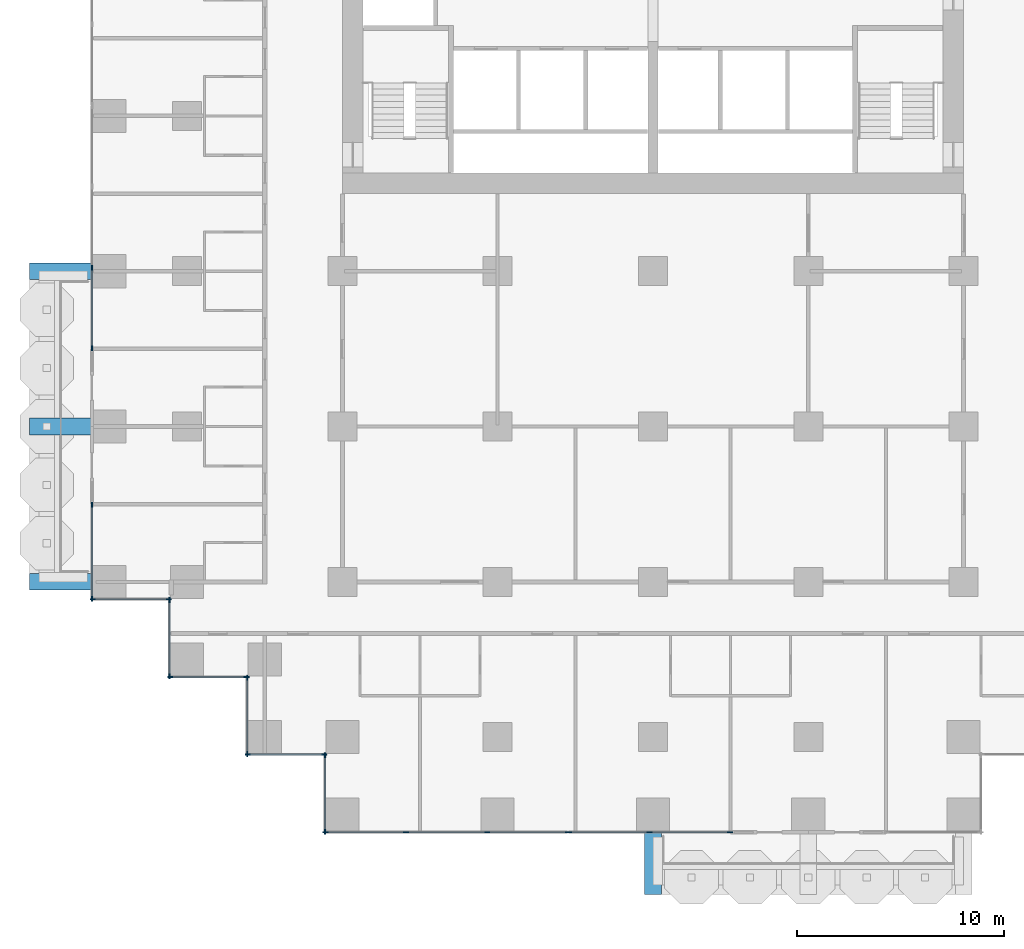
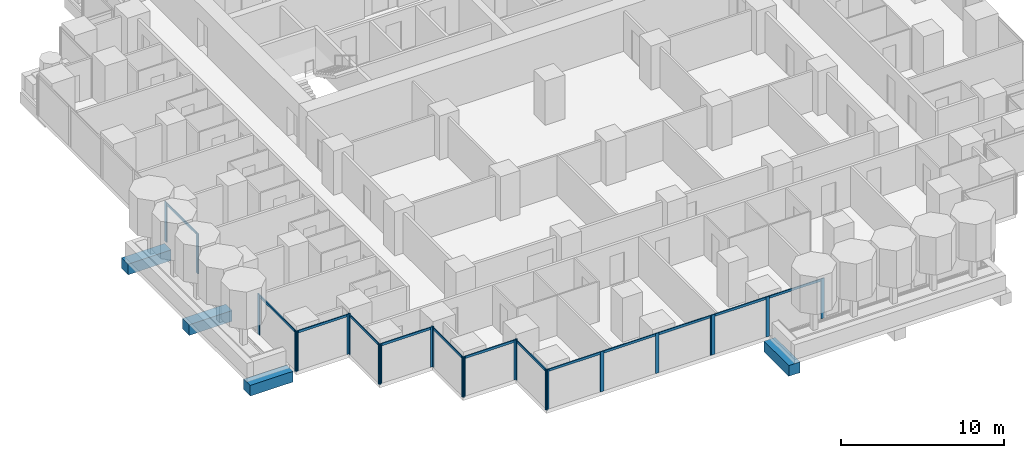
# One storey, part 2 of 18: 36 members, 4 beams, 10 elements without a shape of their own.
"""IFC4 building model written with IfcOpenShell, lengths in metres."""

import ifcopenshell
import ifcopenshell.guid

model = None  # the IFC model being written
_history = None  # IfcOwnerHistory: only IFC2X3 demands one
_inside = {}  # id of a spatial element -> (the spatial element, [elements in it])
_under = {}  # id of a project, library or spatial element -> (it, [spatial elements below it])
_declared = {}  # id of a project -> (the project, [libraries it declares])
_typed = {}  # id of a type object -> (the type object, [elements of that type])
_made_of = {}  # id of a material, layer set ... -> (it, [elements and type objects made of it])


def new_model(schema):
    """Start an empty IFC model of exactly this schema.

    Asked for "IFC4X3", IfcOpenShell would pick the latest addendum, in which some entities
    have other attributes; the version numbers below select the first issue.
    IFC2X3 requires an IfcOwnerHistory on every rooted entity: one is made here for all.
    """
    global model, _history
    if schema == "IFC4X3":
        model = ifcopenshell.file(schema_version=(4, 3, 0, 0))
    else:
        model = ifcopenshell.file(schema=schema)
    _inside.clear()
    _under.clear()
    _declared.clear()
    _typed.clear()
    _made_of.clear()
    _history = None
    if model.schema == "IFC2X3":
        org = make("IfcOrganization", Name="unknown")
        user = make(
            "IfcPersonAndOrganization",
            ThePerson=make("IfcPerson", FamilyName="unknown"),
            TheOrganization=org,
        )
        app = make(
            "IfcApplication",
            ApplicationDeveloper=org,
            Version="unknown",
            ApplicationFullName="unknown",
            ApplicationIdentifier="unknown",
        )
        _history = make(
            "IfcOwnerHistory",
            OwningUser=user,
            OwningApplication=app,
            ChangeAction="ADDED",
            CreationDate=0,
        )
    return model


def make(cls, **values):
    """One entity of the class cls with the attributes given. An attribute that is None is left unset."""
    return model.create_entity(
        cls, **{name: value for name, value in values.items() if value is not None}
    )


def rooted(cls, **values):
    """An entity with a GlobalId (a new one), such as an element, a storey or a relation."""
    return make(cls, GlobalId=ifcopenshell.guid.new(), OwnerHistory=_history, **values)


def si_unit(unit_type, name, prefix=None):
    """IfcSIUnit, for example si_unit("LENGTHUNIT", "METRE", prefix="MILLI")."""
    return make("IfcSIUnit", UnitType=unit_type, Prefix=prefix, Name=name)


def assignment(units):
    """IfcUnitAssignment: the units of a project."""
    return None if units is None else make("IfcUnitAssignment", Units=units)


def point(xyz):
    """IfcCartesianPoint."""
    return None if xyz is None else make("IfcCartesianPoint", Coordinates=xyz)


def direction(xyz):
    """IfcDirection."""
    return None if xyz is None else make("IfcDirection", DirectionRatios=xyz)


def frame(location, z_axis=None, x_axis=None):
    """IfcAxis2Placement3D, a coordinate frame: its origin and axes. An axis left out is left unset."""
    return make(
        "IfcAxis2Placement3D",
        Location=point(location),
        Axis=direction(z_axis),
        RefDirection=direction(x_axis),
    )


def frame_2d(location, x_axis=None):
    """IfcAxis2Placement2D, a coordinate frame in the plane: its origin and x axis."""
    return make(
        "IfcAxis2Placement2D", Location=point(location), RefDirection=direction(x_axis)
    )


def origin():
    """The frame at (0, 0, 0) with its axes left unset."""
    return frame((0.0, 0.0, 0.0))


def origin_2d():
    """The frame at (0, 0) in the plane with its x axis left unset."""
    return frame_2d((0.0, 0.0))


def place(relative_to, where):
    """IfcLocalPlacement: puts the frame where relative to a parent placement (None: the world)."""
    return make(
        "IfcLocalPlacement", PlacementRelTo=relative_to, RelativePlacement=where
    )


def context(
    kind, dimensions, precision=None, world=None, true_north=None, identifier=None
):
    """IfcGeometricRepresentationContext, for example the 3D "Model" context."""
    return make(
        "IfcGeometricRepresentationContext",
        ContextIdentifier=identifier,
        ContextType=kind,
        CoordinateSpaceDimension=dimensions,
        Precision=precision,
        WorldCoordinateSystem=world,
        TrueNorth=true_north,
    )


def subcontext(parent, identifier, kind, view, scale=None):
    """IfcGeometricRepresentationSubContext, for example "Body" below "Model"."""
    return make(
        "IfcGeometricRepresentationSubContext",
        ContextIdentifier=identifier,
        ContextType=kind,
        ParentContext=parent,
        TargetScale=scale,
        TargetView=view,
    )


def project(units=None, contexts=None):
    """IfcProject with its units and contexts."""
    return rooted(
        "IfcProject",
        Name="project",
        RepresentationContexts=contexts,
        UnitsInContext=assignment(units),
    )


def spatial(cls, under=None, at=None, **own):
    """A site, building, storey or space (cls), placed at a placement, below another one or the project."""
    s = rooted(cls, ObjectPlacement=at, **own)
    if under is not None:
        _under.setdefault(under.id(), (under, []))[1].append(s)
    return s


def profile(cls, at=None, kind="AREA", **sizes):
    """A parametric profile (cls). Its sizes go by their IFC names, for example OverallWidth=200.0."""
    return make(cls, ProfileType=kind, Position=at, **sizes)


def rectangle(**sizes):
    """IfcRectangleProfileDef."""
    return profile("IfcRectangleProfileDef", **sizes)


def extrude(swept, where, along, depth):
    """IfcExtrudedAreaSolid: the profile swept, set in the frame where, extruded along a direction by depth."""
    return make(
        "IfcExtrudedAreaSolid",
        SweptArea=swept,
        Position=where,
        ExtrudedDirection=direction(along),
        Depth=depth,
    )


def shape(context_of_items, identifier, shape_type, items):
    """IfcShapeRepresentation: the items that make up one representation, for example the "Body"."""
    return make(
        "IfcShapeRepresentation",
        ContextOfItems=context_of_items,
        RepresentationIdentifier=identifier,
        RepresentationType=shape_type,
        Items=items,
    )


def material(Name=None, Category=None):
    """IfcMaterial."""
    return make("IfcMaterial", Name=Name, Category=Category)


def material_profile(
    of_material, cross_section, Name=None, Category=None, Priority=None
):
    """IfcMaterialProfile: a cross section and its material."""
    return make(
        "IfcMaterialProfile",
        Name=Name,
        Material=of_material,
        Profile=cross_section,
        Priority=Priority,
        Category=Category,
    )


def profile_set(profiles, Name=None, composite=None):
    """IfcMaterialProfileSet."""
    return make(
        "IfcMaterialProfileSet",
        Name=Name,
        MaterialProfiles=profiles,
        CompositeProfile=composite,
    )


def made_of(thing, what):
    """Note that an element or type object is made of a material, layer set ...; save() writes the relation."""
    if what is not None:
        _made_of.setdefault(what.id(), (what, []))[1].append(thing)
    return thing


def type_object(cls, material=None, **own):
    """A type object (cls), such as IfcWallType, which elements share."""
    return made_of(rooted(cls, **own), material)


def element(
    cls,
    number,
    at=None,
    inside=None,
    cuts=None,
    type_object=None,
    material=None,
    context=None,
    identifier="Body",
    shape_type=None,
    held_by="IfcProductDefinitionShape",
    body=None,
    shapes=None,
    **own,
):
    """One element of the class cls, such as IfcWall. Its Tag is "e" and its number.

    at: its placement. inside: the storey or other place that contains it. cuts: it is an
    opening in that element (IfcRelVoidsElement). A single representation is given by context,
    identifier, shape_type and body (its items); several are given by shapes. held_by: the class
    of the entity that holds the representations. save() writes the other relations.
    """
    e = rooted(cls, Tag="e%d" % number, ObjectPlacement=at, **own)
    if body is not None:
        shapes = [shape(context, identifier, shape_type, body)]
    if shapes is not None:
        e.Representation = make(held_by, Representations=shapes)
    if inside is not None:
        _inside.setdefault(inside.id(), (inside, []))[1].append(e)
    if cuts is not None:
        rooted(
            "IfcRelVoidsElement", RelatingBuildingElement=cuts, RelatedOpeningElement=e
        )
    if type_object is not None:
        _typed.setdefault(type_object.id(), (type_object, []))[1].append(e)
    return made_of(e, material)


def aggregate(whole, parts):
    """IfcRelAggregates: a whole, such as a stair, and the parts it consists of."""
    return rooted("IfcRelAggregates", RelatingObject=whole, RelatedObjects=parts)


def save(model, path):
    """Write the relations noted so far, then the file.

    IfcRelAggregates (storeys below a building ...), IfcRelContainedInSpatialStructure (elements
    in a storey), IfcRelDefinesByType, IfcRelAssociatesMaterial and IfcRelDeclares: one each for
    every whole, place, type object, material and project.
    """
    for whole, parts in _under.values():
        aggregate(whole, parts)
    for where, things in _inside.values():
        rooted(
            "IfcRelContainedInSpatialStructure",
            RelatedElements=things,
            RelatingStructure=where,
        )
    for kind, things in _typed.values():
        rooted("IfcRelDefinesByType", RelatedObjects=things, RelatingType=kind)
    for what, things in _made_of.values():
        rooted("IfcRelAssociatesMaterial", RelatedObjects=things, RelatingMaterial=what)
    for by, libraries in _declared.values():
        rooted("IfcRelDeclares", RelatingContext=by, RelatedDefinitions=libraries)
    model.write(path)


model = new_model("IFC4")

# Units and contexts
model_context = context("Model", 3, precision=1e-05, world=origin(), true_north=direction((0.0, 1.0)))
body_context = subcontext(model_context, "Body", "Model", "MODEL_VIEW")
ifc_project = project(units=[si_unit("LENGTHUNIT", "METRE"), si_unit("AREAUNIT", "SQUARE_METRE"), si_unit("VOLUMEUNIT", "CUBIC_METRE"), si_unit("PLANEANGLEUNIT", "RADIAN"), si_unit("MASSUNIT", "GRAM", prefix="KILO")], contexts=[model_context])

# Site, building, storey
site_placement = place(None, origin())
site = spatial("IfcSite", under=ifc_project, at=site_placement, CompositionType="ELEMENT")
building_placement = place(site_placement, origin())
building = spatial("IfcBuilding", under=site, at=building_placement, Name="Pilkhan Gate Tower", CompositionType="ELEMENT")
storey_placement = place(building_placement, frame((0.0, 0.0, 52.699951171875)))
storey = spatial("IfcBuildingStorey", under=building, at=storey_placement, Name="L10", CompositionType="ELEMENT", Elevation=52.699951171875)

# Beams
ifc_material_1 = material(Name="Concrete C50/60", Category="concrete")
ifc_material_profile_1 = material_profile(ifc_material_1, rectangle(XDim=0.800048828125, YDim=0.800048828125, at=origin_2d()), Name="RC 800x800")
ifc_profile_set_1 = profile_set([ifc_material_profile_1], Name="Concrete C50/60")
beam_type = type_object("IfcBeamType", Name="Cantilever beam CB2 RC 800x800 C50/60", PredefinedType="BEAM", material=ifc_profile_set_1)
for number, where, z_axis, x_axis, name in (
    (1, (75.0, 40.449951171875, -0.699951171875), (0.0, -1.0, 0.0), (1.0, 0.0, 0.0), "Balcony beam S.1 L10"),
    (2, (47.949951171875, 52.5, -0.699951171875), (-1.0, 0.0, 0.0), (0.0, -1.0, 0.0), "Balcony beam W.1 L10"),
    (3, (47.949951171875, 60.0, -0.699951171875), (-1.0, 0.0, 0.0), (0.0, -1.0, 0.0), "Balcony beam W.2 L10"),
    (4, (47.949951171875, 67.5, -0.699951171875), (-1.0, 0.0, 0.0), (0.0, -1.0, 0.0), "Balcony beam W.3 L10"),
):
    element("IfcBeam", number, at=place(storey_placement, frame(where, z_axis=z_axis, x_axis=x_axis)), inside=storey, type_object=beam_type, Name=name, PredefinedType="BEAM", context=body_context, shape_type="SweptSolid", body=[
        extrude(rectangle(XDim=0.800048828125, YDim=0.800048828125, at=origin_2d()), origin(), (0.0, 0.0, 1.0), 3.050048828125),
    ])

# Curtain wall, members
ifc_material_2 = material(Name="Pale anodised aluminium, clear low-iron double glazing", Category="aluminium")
curtain_wall_type = type_object("IfcCurtainWallType", Name="Hotel unitised curtain wall CW-H", PredefinedType="USERDEFINED", material=ifc_material_2)
curtain_wall_1_placement = place(storey_placement, origin())
curtain_wall_1 = element("IfcCurtainWall", 5, at=curtain_wall_1_placement, inside=storey, type_object=curtain_wall_type, Name="Hotel unitised curtain wall CW-H L10 W", ObjectType="UNITISED CURTAIN WALL", PredefinedType="USERDEFINED")
ifc_material_3 = material(Name="Pale anodised aluminium", Category="aluminium")
ifc_material_profile_2 = material_profile(ifc_material_3, rectangle(XDim=0.06494140625, YDim=0.25, at=origin_2d()), Name="Mullion 250x65")
ifc_profile_set_2 = profile_set([ifc_material_profile_2], Name="Pale anodised aluminium")
member_type_1 = type_object("IfcMemberType", Name="Mullion CW-H 250x65", PredefinedType="MULLION", material=ifc_profile_set_2)
member_1_placement = place(storey_placement, frame((47.905029296875, 51.6875, 0.0), z_axis=(0.0, 0.0, 1.0), x_axis=(-1.0, 0.0, 0.0)))
member_1 = element("IfcMember", 6, at=member_1_placement, type_object=member_type_1, Name="CW-H mullion 1", PredefinedType="MULLION", context=body_context, shape_type="SweptSolid", body=[
    extrude(rectangle(XDim=0.06494140625, YDim=0.25, at=origin_2d()), origin(), (0.0, 0.0, 1.0), 3.0),
])
member_2_placement = place(storey_placement, frame((47.905029296875, 56.217529296875, 0.0), z_axis=(0.0, 0.0, 1.0), x_axis=(-1.0, 0.0, 0.0)))
member_2 = element("IfcMember", 7, at=member_2_placement, type_object=member_type_1, Name="CW-H mullion 2", PredefinedType="MULLION", context=body_context, shape_type="SweptSolid", body=[
    extrude(rectangle(XDim=0.06494140625, YDim=0.25, at=origin_2d()), origin(), (0.0, 0.0, 1.0), 3.0),
])

curtain_wall_2_placement = place(storey_placement, origin())
curtain_wall_2 = element("IfcCurtainWall", 8, at=curtain_wall_2_placement, inside=storey, type_object=curtain_wall_type, Name="Hotel unitised curtain wall CW-H L10 W", ObjectType="UNITISED CURTAIN WALL", PredefinedType="USERDEFINED")
member_3_placement = place(storey_placement, frame((47.905029296875, 63.782470703125, 0.0), z_axis=(0.0, 0.0, 1.0), x_axis=(-1.0, 0.0, 0.0)))
member_3 = element("IfcMember", 9, at=member_3_placement, type_object=member_type_1, Name="CW-H mullion 1", PredefinedType="MULLION", context=body_context, shape_type="SweptSolid", body=[
    extrude(rectangle(XDim=0.06494140625, YDim=0.25, at=origin_2d()), origin(), (0.0, 0.0, 1.0), 3.0),
])
member_4_placement = place(storey_placement, frame((47.905029296875, 67.6689453125, 0.0), z_axis=(0.0, 0.0, 1.0), x_axis=(-1.0, 0.0, 0.0)))
member_4 = element("IfcMember", 10, at=member_4_placement, type_object=member_type_1, Name="CW-H mullion 2", PredefinedType="MULLION", context=body_context, shape_type="SweptSolid", body=[
    extrude(rectangle(XDim=0.06494140625, YDim=0.25, at=origin_2d()), origin(), (0.0, 0.0, 1.0), 3.0),
])

curtain_wall_3_placement = place(storey_placement, origin())
curtain_wall_3 = element("IfcCurtainWall", 11, at=curtain_wall_3_placement, inside=storey, type_object=curtain_wall_type, Name="Hotel unitised curtain wall CW-H L10 S", ObjectType="UNITISED CURTAIN WALL", PredefinedType="USERDEFINED")
member_5_placement = place(storey_placement, frame((47.9375, 51.655029296875, 0.0), z_axis=(0.0, 0.0, 1.0), x_axis=(0.0, 1.0, 0.0)))
member_5 = element("IfcMember", 12, at=member_5_placement, type_object=member_type_1, Name="CW-H mullion 1", PredefinedType="MULLION", context=body_context, shape_type="SweptSolid", body=[
    extrude(rectangle(XDim=0.06494140625, YDim=0.25, at=origin_2d()), origin(), (0.0, 0.0, 1.0), 3.0),
])
member_6_placement = place(storey_placement, frame((51.62255859375, 51.655029296875, 0.0), z_axis=(0.0, 0.0, 1.0), x_axis=(0.0, 1.0, 0.0)))
member_6 = element("IfcMember", 13, at=member_6_placement, type_object=member_type_1, Name="CW-H mullion 2", PredefinedType="MULLION", context=body_context, shape_type="SweptSolid", body=[
    extrude(rectangle(XDim=0.06494140625, YDim=0.25, at=origin_2d()), origin(), (0.0, 0.0, 1.0), 3.0),
])

curtain_wall_4_placement = place(storey_placement, origin())
curtain_wall_4 = element("IfcCurtainWall", 14, at=curtain_wall_4_placement, inside=storey, type_object=curtain_wall_type, Name="Hotel unitised curtain wall CW-H L10 W", ObjectType="UNITISED CURTAIN WALL", PredefinedType="USERDEFINED")
member_7_placement = place(storey_placement, frame((51.655029296875, 47.9375, 0.0), z_axis=(0.0, 0.0, 1.0), x_axis=(-1.0, 0.0, 0.0)))
member_7 = element("IfcMember", 15, at=member_7_placement, type_object=member_type_1, Name="CW-H mullion 1", PredefinedType="MULLION", context=body_context, shape_type="SweptSolid", body=[
    extrude(rectangle(XDim=0.06494140625, YDim=0.25, at=origin_2d()), origin(), (0.0, 0.0, 1.0), 3.0),
])
member_8_placement = place(storey_placement, frame((51.655029296875, 51.62255859375, 0.0), z_axis=(0.0, 0.0, 1.0), x_axis=(-1.0, 0.0, 0.0)))
member_8 = element("IfcMember", 16, at=member_8_placement, type_object=member_type_1, Name="CW-H mullion 2", PredefinedType="MULLION", context=body_context, shape_type="SweptSolid", body=[
    extrude(rectangle(XDim=0.06494140625, YDim=0.25, at=origin_2d()), origin(), (0.0, 0.0, 1.0), 3.0),
])

curtain_wall_5_placement = place(storey_placement, origin())
curtain_wall_5 = element("IfcCurtainWall", 17, at=curtain_wall_5_placement, inside=storey, type_object=curtain_wall_type, Name="Hotel unitised curtain wall CW-H L10 S", ObjectType="UNITISED CURTAIN WALL", PredefinedType="USERDEFINED")
member_9_placement = place(storey_placement, frame((51.6875, 47.905029296875, 0.0), z_axis=(0.0, 0.0, 1.0), x_axis=(0.0, 1.0, 0.0)))
member_9 = element("IfcMember", 18, at=member_9_placement, type_object=member_type_1, Name="CW-H mullion 1", PredefinedType="MULLION", context=body_context, shape_type="SweptSolid", body=[
    extrude(rectangle(XDim=0.06494140625, YDim=0.25, at=origin_2d()), origin(), (0.0, 0.0, 1.0), 3.0),
])
member_10_placement = place(storey_placement, frame((55.37255859375, 47.905029296875, 0.0), z_axis=(0.0, 0.0, 1.0), x_axis=(0.0, 1.0, 0.0)))
member_10 = element("IfcMember", 19, at=member_10_placement, type_object=member_type_1, Name="CW-H mullion 2", PredefinedType="MULLION", context=body_context, shape_type="SweptSolid", body=[
    extrude(rectangle(XDim=0.06494140625, YDim=0.25, at=origin_2d()), origin(), (0.0, 0.0, 1.0), 3.0),
])

curtain_wall_6_placement = place(storey_placement, origin())
curtain_wall_6 = element("IfcCurtainWall", 20, at=curtain_wall_6_placement, inside=storey, type_object=curtain_wall_type, Name="Hotel unitised curtain wall CW-H L10 W", ObjectType="UNITISED CURTAIN WALL", PredefinedType="USERDEFINED")
member_11_placement = place(storey_placement, frame((55.405029296875, 44.1875, 0.0), z_axis=(0.0, 0.0, 1.0), x_axis=(-1.0, 0.0, 0.0)))
member_11 = element("IfcMember", 21, at=member_11_placement, type_object=member_type_1, Name="CW-H mullion 1", PredefinedType="MULLION", context=body_context, shape_type="SweptSolid", body=[
    extrude(rectangle(XDim=0.06494140625, YDim=0.25, at=origin_2d()), origin(), (0.0, 0.0, 1.0), 3.0),
])
member_12_placement = place(storey_placement, frame((55.405029296875, 47.87255859375, 0.0), z_axis=(0.0, 0.0, 1.0), x_axis=(-1.0, 0.0, 0.0)))
member_12 = element("IfcMember", 22, at=member_12_placement, type_object=member_type_1, Name="CW-H mullion 2", PredefinedType="MULLION", context=body_context, shape_type="SweptSolid", body=[
    extrude(rectangle(XDim=0.06494140625, YDim=0.25, at=origin_2d()), origin(), (0.0, 0.0, 1.0), 3.0),
])

curtain_wall_7_placement = place(storey_placement, origin())
curtain_wall_7 = element("IfcCurtainWall", 23, at=curtain_wall_7_placement, inside=storey, type_object=curtain_wall_type, Name="Hotel unitised curtain wall CW-H L10 S", ObjectType="UNITISED CURTAIN WALL", PredefinedType="USERDEFINED")
member_13_placement = place(storey_placement, frame((55.4375, 44.155029296875, 0.0), z_axis=(0.0, 0.0, 1.0), x_axis=(0.0, 1.0, 0.0)))
member_13 = element("IfcMember", 24, at=member_13_placement, type_object=member_type_1, Name="CW-H mullion 1", PredefinedType="MULLION", context=body_context, shape_type="SweptSolid", body=[
    extrude(rectangle(XDim=0.06494140625, YDim=0.25, at=origin_2d()), origin(), (0.0, 0.0, 1.0), 3.0),
])
member_14_placement = place(storey_placement, frame((59.12255859375, 44.155029296875, 0.0), z_axis=(0.0, 0.0, 1.0), x_axis=(0.0, 1.0, 0.0)))
member_14 = element("IfcMember", 25, at=member_14_placement, type_object=member_type_1, Name="CW-H mullion 2", PredefinedType="MULLION", context=body_context, shape_type="SweptSolid", body=[
    extrude(rectangle(XDim=0.06494140625, YDim=0.25, at=origin_2d()), origin(), (0.0, 0.0, 1.0), 3.0),
])

curtain_wall_8_placement = place(storey_placement, origin())
curtain_wall_8 = element("IfcCurtainWall", 26, at=curtain_wall_8_placement, inside=storey, type_object=curtain_wall_type, Name="Hotel unitised curtain wall CW-H L10 W", ObjectType="UNITISED CURTAIN WALL", PredefinedType="USERDEFINED")
member_15_placement = place(storey_placement, frame((59.155029296875, 40.4375, 0.0), z_axis=(0.0, 0.0, 1.0), x_axis=(-1.0, 0.0, 0.0)))
member_15 = element("IfcMember", 27, at=member_15_placement, type_object=member_type_1, Name="CW-H mullion 1", PredefinedType="MULLION", context=body_context, shape_type="SweptSolid", body=[
    extrude(rectangle(XDim=0.06494140625, YDim=0.25, at=origin_2d()), origin(), (0.0, 0.0, 1.0), 3.0),
])
member_16_placement = place(storey_placement, frame((59.155029296875, 44.12255859375, 0.0), z_axis=(0.0, 0.0, 1.0), x_axis=(-1.0, 0.0, 0.0)))
member_16 = element("IfcMember", 28, at=member_16_placement, type_object=member_type_1, Name="CW-H mullion 2", PredefinedType="MULLION", context=body_context, shape_type="SweptSolid", body=[
    extrude(rectangle(XDim=0.06494140625, YDim=0.25, at=origin_2d()), origin(), (0.0, 0.0, 1.0), 3.0),
])

curtain_wall_9_placement = place(storey_placement, origin())
curtain_wall_9 = element("IfcCurtainWall", 29, at=curtain_wall_9_placement, inside=storey, type_object=curtain_wall_type, Name="Hotel unitised curtain wall CW-H L10 S", ObjectType="UNITISED CURTAIN WALL", PredefinedType="USERDEFINED")
member_17_placement = place(storey_placement, frame((59.1875, 40.405029296875, 0.0), z_axis=(0.0, 0.0, 1.0), x_axis=(0.0, 1.0, 0.0)))
member_17 = element("IfcMember", 30, at=member_17_placement, type_object=member_type_1, Name="CW-H mullion 1", PredefinedType="MULLION", context=body_context, shape_type="SweptSolid", body=[
    extrude(rectangle(XDim=0.06494140625, YDim=0.25, at=origin_2d()), origin(), (0.0, 0.0, 1.0), 3.0),
])
member_18_placement = place(storey_placement, frame((63.073974609375, 40.405029296875, 0.0), z_axis=(0.0, 0.0, 1.0), x_axis=(0.0, 1.0, 0.0)))
member_18 = element("IfcMember", 31, at=member_18_placement, type_object=member_type_1, Name="CW-H mullion 2", PredefinedType="MULLION", context=body_context, shape_type="SweptSolid", body=[
    extrude(rectangle(XDim=0.06494140625, YDim=0.25, at=origin_2d()), origin(), (0.0, 0.0, 1.0), 3.0),
])
member_19_placement = place(storey_placement, frame((66.992919921875, 40.405029296875, 0.0), z_axis=(0.0, 0.0, 1.0), x_axis=(0.0, 1.0, 0.0)))
member_19 = element("IfcMember", 32, at=member_19_placement, type_object=member_type_1, Name="CW-H mullion 3", PredefinedType="MULLION", context=body_context, shape_type="SweptSolid", body=[
    extrude(rectangle(XDim=0.06494140625, YDim=0.25, at=origin_2d()), origin(), (0.0, 0.0, 1.0), 3.0),
])
member_20_placement = place(storey_placement, frame((70.87939453125, 40.405029296875, 0.0), z_axis=(0.0, 0.0, 1.0), x_axis=(0.0, 1.0, 0.0)))
member_20 = element("IfcMember", 33, at=member_20_placement, type_object=member_type_1, Name="CW-H mullion 4", PredefinedType="MULLION", context=body_context, shape_type="SweptSolid", body=[
    extrude(rectangle(XDim=0.06494140625, YDim=0.25, at=origin_2d()), origin(), (0.0, 0.0, 1.0), 3.0),
])

curtain_wall_10_placement = place(storey_placement, origin())
curtain_wall_10 = element("IfcCurtainWall", 34, at=curtain_wall_10_placement, inside=storey, type_object=curtain_wall_type, Name="Hotel unitised curtain wall CW-H L10 S", ObjectType="UNITISED CURTAIN WALL", PredefinedType="USERDEFINED")
member_21_placement = place(storey_placement, frame((70.944580078125, 40.405029296875, 0.0), z_axis=(0.0, 0.0, 1.0), x_axis=(0.0, 1.0, 0.0)))
member_21 = element("IfcMember", 35, at=member_21_placement, type_object=member_type_1, Name="CW-H mullion 1", PredefinedType="MULLION", context=body_context, shape_type="SweptSolid", body=[
    extrude(rectangle(XDim=0.06494140625, YDim=0.25, at=origin_2d()), origin(), (0.0, 0.0, 1.0), 3.0),
])
member_22_placement = place(storey_placement, frame((74.8310546875, 40.405029296875, 0.0), z_axis=(0.0, 0.0, 1.0), x_axis=(0.0, 1.0, 0.0)))
member_22 = element("IfcMember", 36, at=member_22_placement, type_object=member_type_1, Name="CW-H mullion 2", PredefinedType="MULLION", context=body_context, shape_type="SweptSolid", body=[
    extrude(rectangle(XDim=0.06494140625, YDim=0.25, at=origin_2d()), origin(), (0.0, 0.0, 1.0), 3.0),
])
member_23_placement = place(storey_placement, frame((78.717529296875, 40.405029296875, 0.0), z_axis=(0.0, 0.0, 1.0), x_axis=(0.0, 1.0, 0.0)))
member_23 = element("IfcMember", 37, at=member_23_placement, type_object=member_type_1, Name="CW-H mullion 3", PredefinedType="MULLION", context=body_context, shape_type="SweptSolid", body=[
    extrude(rectangle(XDim=0.06494140625, YDim=0.25, at=origin_2d()), origin(), (0.0, 0.0, 1.0), 3.0),
])

# Member
ifc_material_profile_3 = material_profile(ifc_material_3, rectangle(XDim=0.06494140625, YDim=0.179931640625, at=origin_2d()), Name="Transom 180x65")
ifc_profile_set_3 = profile_set([ifc_material_profile_3], Name="Pale anodised aluminium")
member_type_2 = type_object("IfcMemberType", Name="Transom CW-H 180x65", PredefinedType="USERDEFINED", material=ifc_profile_set_3)
member_24_placement = place(storey_placement, frame((47.905029296875, 51.719970703125, 2.91015625), z_axis=(0.0, 1.0, 0.0), x_axis=(-1.0, 0.0, 0.0)))
member_24 = element("IfcMember", 38, at=member_24_placement, type_object=member_type_2, Name="CW-H transom 1", ObjectType="TRANSOM", PredefinedType="USERDEFINED", context=body_context, shape_type="SweptSolid", body=[
    extrude(rectangle(XDim=0.06494140625, YDim=0.179931640625, at=origin_2d()), origin(), (0.0, 0.0, 1.0), 4.465087890625),
])

aggregate(curtain_wall_1, [member_1, member_2, member_24])

member_25_placement = place(storey_placement, frame((47.905029296875, 63.81494140625, 2.91015625), z_axis=(0.0, 1.0, 0.0), x_axis=(-1.0, 0.0, 0.0)))
member_25 = element("IfcMember", 39, at=member_25_placement, type_object=member_type_2, Name="CW-H transom 1", ObjectType="TRANSOM", PredefinedType="USERDEFINED", context=body_context, shape_type="SweptSolid", body=[
    extrude(rectangle(XDim=0.06494140625, YDim=0.179931640625, at=origin_2d()), origin(), (0.0, 0.0, 1.0), 3.821533203125),
])

aggregate(curtain_wall_2, [member_3, member_4, member_25])

member_26_placement = place(storey_placement, frame((47.969970703125, 51.655029296875, 2.91015625), z_axis=(1.0, 0.0, 0.0), x_axis=(0.0, 1.0, 0.0)))
member_26 = element("IfcMember", 40, at=member_26_placement, type_object=member_type_2, Name="CW-H transom 1", ObjectType="TRANSOM", PredefinedType="USERDEFINED", context=body_context, shape_type="SweptSolid", body=[
    extrude(rectangle(XDim=0.06494140625, YDim=0.179931640625, at=origin_2d()), origin(), (0.0, 0.0, 1.0), 3.6201171875),
])

aggregate(curtain_wall_3, [member_5, member_6, member_26])

member_27_placement = place(storey_placement, frame((51.655029296875, 47.969970703125, 2.91015625), z_axis=(0.0, 1.0, 0.0), x_axis=(-1.0, 0.0, 0.0)))
member_27 = element("IfcMember", 41, at=member_27_placement, type_object=member_type_2, Name="CW-H transom 1", ObjectType="TRANSOM", PredefinedType="USERDEFINED", context=body_context, shape_type="SweptSolid", body=[
    extrude(rectangle(XDim=0.06494140625, YDim=0.179931640625, at=origin_2d()), origin(), (0.0, 0.0, 1.0), 3.6201171875),
])

aggregate(curtain_wall_4, [member_7, member_8, member_27])

member_28_placement = place(storey_placement, frame((51.719970703125, 47.905029296875, 2.91015625), z_axis=(1.0, 0.0, 0.0), x_axis=(0.0, 1.0, 0.0)))
member_28 = element("IfcMember", 42, at=member_28_placement, type_object=member_type_2, Name="CW-H transom 1", ObjectType="TRANSOM", PredefinedType="USERDEFINED", context=body_context, shape_type="SweptSolid", body=[
    extrude(rectangle(XDim=0.06494140625, YDim=0.179931640625, at=origin_2d()), origin(), (0.0, 0.0, 1.0), 3.6201171875),
])

aggregate(curtain_wall_5, [member_9, member_10, member_28])

member_29_placement = place(storey_placement, frame((55.405029296875, 44.219970703125, 2.91015625), z_axis=(0.0, 1.0, 0.0), x_axis=(-1.0, 0.0, 0.0)))
member_29 = element("IfcMember", 43, at=member_29_placement, type_object=member_type_2, Name="CW-H transom 1", ObjectType="TRANSOM", PredefinedType="USERDEFINED", context=body_context, shape_type="SweptSolid", body=[
    extrude(rectangle(XDim=0.06494140625, YDim=0.179931640625, at=origin_2d()), origin(), (0.0, 0.0, 1.0), 3.6201171875),
])

aggregate(curtain_wall_6, [member_11, member_12, member_29])

member_30_placement = place(storey_placement, frame((55.469970703125, 44.155029296875, 2.91015625), z_axis=(1.0, 0.0, 0.0), x_axis=(0.0, 1.0, 0.0)))
member_30 = element("IfcMember", 44, at=member_30_placement, type_object=member_type_2, Name="CW-H transom 1", ObjectType="TRANSOM", PredefinedType="USERDEFINED", context=body_context, shape_type="SweptSolid", body=[
    extrude(rectangle(XDim=0.06494140625, YDim=0.179931640625, at=origin_2d()), origin(), (0.0, 0.0, 1.0), 3.6201171875),
])

aggregate(curtain_wall_7, [member_13, member_14, member_30])

member_31_placement = place(storey_placement, frame((59.155029296875, 40.469970703125, 2.91015625), z_axis=(0.0, 1.0, 0.0), x_axis=(-1.0, 0.0, 0.0)))
member_31 = element("IfcMember", 45, at=member_31_placement, type_object=member_type_2, Name="CW-H transom 1", ObjectType="TRANSOM", PredefinedType="USERDEFINED", context=body_context, shape_type="SweptSolid", body=[
    extrude(rectangle(XDim=0.06494140625, YDim=0.179931640625, at=origin_2d()), origin(), (0.0, 0.0, 1.0), 3.6201171875),
])

aggregate(curtain_wall_8, [member_15, member_16, member_31])

member_32_placement = place(storey_placement, frame((59.219970703125, 40.405029296875, 2.91015625), z_axis=(1.0, 0.0, 0.0), x_axis=(0.0, 1.0, 0.0)))
member_32 = element("IfcMember", 46, at=member_32_placement, type_object=member_type_2, Name="CW-H transom 1", ObjectType="TRANSOM", PredefinedType="USERDEFINED", context=body_context, shape_type="SweptSolid", body=[
    extrude(rectangle(XDim=0.06494140625, YDim=0.179931640625, at=origin_2d()), origin(), (0.0, 0.0, 1.0), 3.821533203125),
])

member_33_placement = place(storey_placement, frame((63.1064453125, 40.405029296875, 2.91015625), z_axis=(1.0, 0.0, 0.0), x_axis=(0.0, 1.0, 0.0)))
member_33 = element("IfcMember", 47, at=member_33_placement, type_object=member_type_2, Name="CW-H transom 2", ObjectType="TRANSOM", PredefinedType="USERDEFINED", context=body_context, shape_type="SweptSolid", body=[
    extrude(rectangle(XDim=0.06494140625, YDim=0.179931640625, at=origin_2d()), origin(), (0.0, 0.0, 1.0), 3.85400390625),
])

member_34_placement = place(storey_placement, frame((67.025390625, 40.405029296875, 2.91015625), z_axis=(1.0, 0.0, 0.0), x_axis=(0.0, 1.0, 0.0)))
member_34 = element("IfcMember", 48, at=member_34_placement, type_object=member_type_2, Name="CW-H transom 3", ObjectType="TRANSOM", PredefinedType="USERDEFINED", context=body_context, shape_type="SweptSolid", body=[
    extrude(rectangle(XDim=0.06494140625, YDim=0.179931640625, at=origin_2d()), origin(), (0.0, 0.0, 1.0), 3.821533203125),
])

aggregate(curtain_wall_9, [member_17, member_18, member_19, member_20, member_32, member_33, member_34])

member_35_placement = place(storey_placement, frame((70.97705078125, 40.405029296875, 2.91015625), z_axis=(1.0, 0.0, 0.0), x_axis=(0.0, 1.0, 0.0)))
member_35 = element("IfcMember", 49, at=member_35_placement, type_object=member_type_2, Name="CW-H transom 1", ObjectType="TRANSOM", PredefinedType="USERDEFINED", context=body_context, shape_type="SweptSolid", body=[
    extrude(rectangle(XDim=0.06494140625, YDim=0.179931640625, at=origin_2d()), origin(), (0.0, 0.0, 1.0), 3.821533203125),
])

member_36_placement = place(storey_placement, frame((74.863525390625, 40.405029296875, 2.91015625), z_axis=(1.0, 0.0, 0.0), x_axis=(0.0, 1.0, 0.0)))
member_36 = element("IfcMember", 50, at=member_36_placement, type_object=member_type_2, Name="CW-H transom 2", ObjectType="TRANSOM", PredefinedType="USERDEFINED", context=body_context, shape_type="SweptSolid", body=[
    extrude(rectangle(XDim=0.06494140625, YDim=0.179931640625, at=origin_2d()), origin(), (0.0, 0.0, 1.0), 3.821533203125),
])

aggregate(curtain_wall_10, [member_21, member_22, member_23, member_35, member_36])

save(model, "model.ifc")
